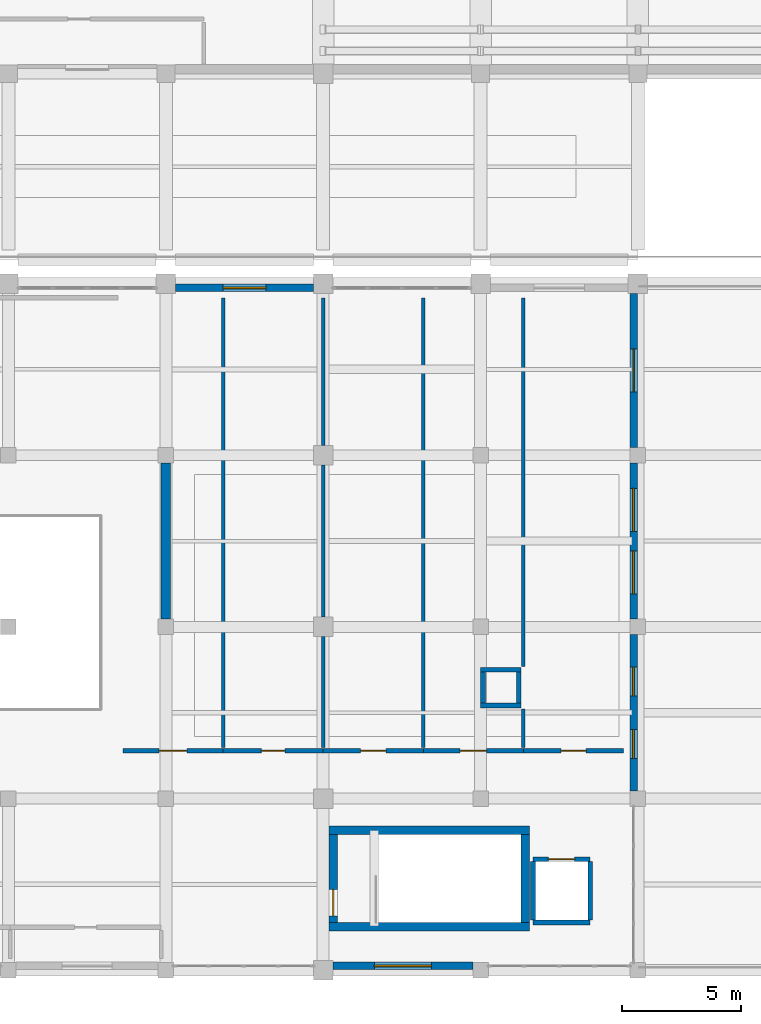
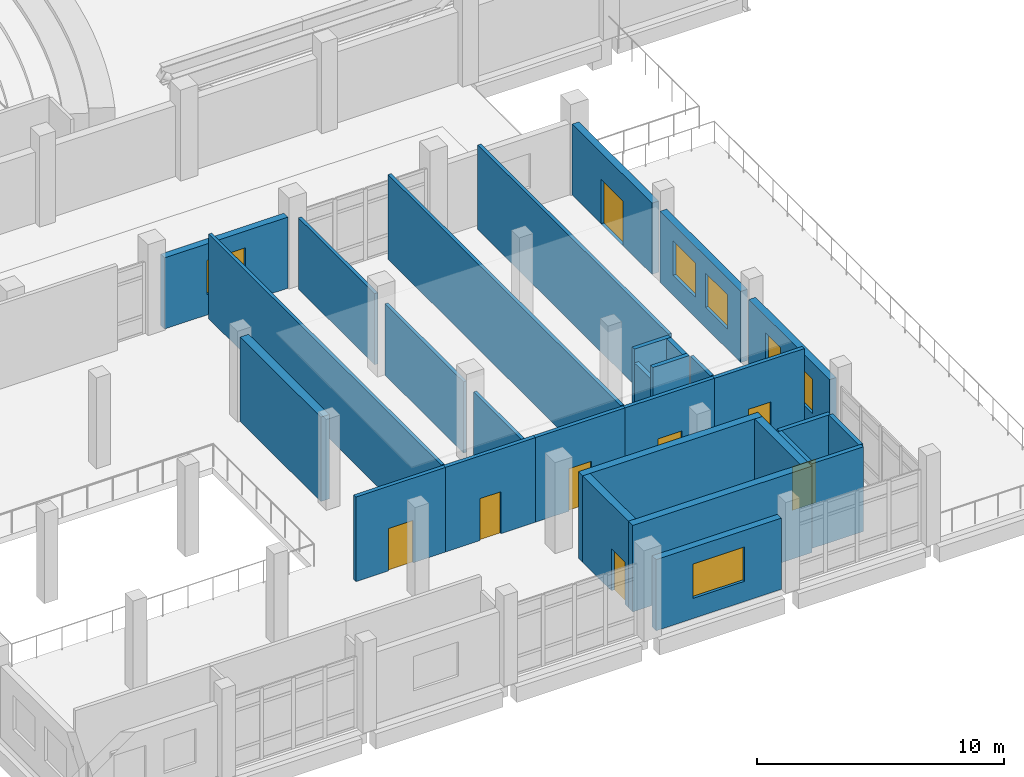
# One storey, part 38 of 54: 30 walls, 8 doors, 6 windows, 14 openings.
"""IFC4 building model written with IfcOpenShell, lengths in metres."""

from ifc_helpers import new_model, si_unit, direction, frame, frame_2d, origin, place, context, subcontext, project, spatial, rectangle, extrude, material, layer, layer_set, type_object, element, fill, save


model = new_model("IFC4")

# Units and contexts
model_context = context("Model", 3, precision=1e-05, world=origin(), true_north=direction((0.0, 1.0)))
body_context = subcontext(model_context, "Body", "Model", "MODEL_VIEW")
ifc_project = project(units=[si_unit("LENGTHUNIT", "METRE"), si_unit("AREAUNIT", "SQUARE_METRE"), si_unit("VOLUMEUNIT", "CUBIC_METRE"), si_unit("PLANEANGLEUNIT", "RADIAN"), si_unit("MASSUNIT", "GRAM", prefix="KILO")], contexts=[model_context])

# Site, building, storey
site_placement = place(None, origin())
site = spatial("IfcSite", under=ifc_project, at=site_placement, CompositionType="ELEMENT")
building_placement = place(site_placement, origin())
building = spatial("IfcBuilding", under=site, at=building_placement, Name="Kelarvand Opera House", CompositionType="ELEMENT")
storey_placement = place(building_placement, frame((0.0, 0.0, 15.0)))
storey = spatial("IfcBuildingStorey", under=building, at=storey_placement, Name="L03", CompositionType="ELEMENT", Elevation=15.0)

# Walls
ifc_material_1 = material(Name="Acoustic double-stud gypsum partition")
ifc_layer_1 = layer(ifc_material_1, 0.14990234375, Name="Acoustic double-stud gypsum partition")
ifc_layer_set_1 = layer_set([ifc_layer_1], Name="Acoustic double-stud gypsum partition")
wall_type_1 = type_object("IfcWallType", Name="Acoustic Room Partition Wall 150", PredefinedType="PARTITIONING", material=ifc_layer_set_1)
wall_1_placement = place(storey_placement, frame((111.199951171875, 18.340087890625, 0.0), z_axis=(0.0, 0.0, 1.0), x_axis=(0.0, 1.0, 0.0)))
element("IfcWall", 1, at=wall_1_placement, inside=storey, type_object=wall_type_1, Name="V6 L03 Partition Wall IW-150 (595)", PredefinedType="PARTITIONING", context=body_context, shape_type="SweptSolid", body=[
    extrude(rectangle(XDim=18.85986328125, YDim=0.14990234375, at=frame_2d((9.429931640625, 0.0))), origin(), (0.0, 0.0, 1.0), 4.19189453125),
])
wall_2_placement = place(storey_placement, frame((115.39990234375, 18.340087890625, 0.0), z_axis=(0.0, 0.0, 1.0), x_axis=(0.0, 1.0, 0.0)))
element("IfcWall", 2, at=wall_2_placement, inside=storey, type_object=wall_type_1, Name="V6 L03 Partition Wall IW-150 (597)", PredefinedType="PARTITIONING", context=body_context, shape_type="SweptSolid", body=[
    extrude(rectangle(XDim=4.64990234375, YDim=0.14990234375, at=frame_2d((2.324951171875, 0.0))), origin(), (0.0, 0.0, 1.0), 3.52197265625),
])
wall_3_placement = place(storey_placement, frame((115.39990234375, 23.81005859375, 0.0), z_axis=(0.0, 0.0, 1.0), x_axis=(0.0, 1.0, 0.0)))
element("IfcWall", 3, at=wall_3_placement, inside=storey, type_object=wall_type_1, Name="V6 L03 Partition Wall IW-150 (598)", PredefinedType="PARTITIONING", context=body_context, shape_type="SweptSolid", body=[
    extrude(rectangle(XDim=6.3798828125, YDim=0.14990234375, at=frame_2d((3.18994140625, 0.0))), origin(), (0.0, 0.0, 1.0), 3.52197265625),
])
wall_4_placement = place(storey_placement, frame((115.39990234375, 31.010009765625, 0.0), z_axis=(0.0, 0.0, 1.0), x_axis=(0.0, 1.0, 0.0)))
element("IfcWall", 4, at=wall_4_placement, inside=storey, type_object=wall_type_1, Name="V6 L03 Partition Wall IW-150 (599)", PredefinedType="PARTITIONING", context=body_context, shape_type="SweptSolid", body=[
    extrude(rectangle(XDim=6.18994140625, YDim=0.14990234375, at=frame_2d((3.094970703125, 0.0))), origin(), (0.0, 0.0, 1.0), 3.52197265625),
])
wall_5_placement = place(storey_placement, frame((119.60009765625, 18.340087890625, 0.0), z_axis=(0.0, 0.0, 1.0), x_axis=(0.0, 1.0, 0.0)))
element("IfcWall", 5, at=wall_5_placement, inside=storey, type_object=wall_type_1, Name="V6 L03 Partition Wall IW-150 (601)", PredefinedType="PARTITIONING", context=body_context, shape_type="SweptSolid", body=[
    extrude(rectangle(XDim=18.85986328125, YDim=0.14990234375, at=frame_2d((9.429931640625, 0.0))), origin(), (0.0, 0.0, 1.0), 4.19189453125),
])
wall_6_placement = place(storey_placement, frame((123.800048828125, 18.340087890625, 0.0), z_axis=(0.0, 0.0, 1.0), x_axis=(0.0, 1.0, 0.0)))
element("IfcWall", 6, at=wall_6_placement, inside=storey, type_object=wall_type_1, Name="V6 L03 Partition Wall IW-150 (603)", PredefinedType="PARTITIONING", context=body_context, shape_type="SweptSolid", body=[
    extrude(rectangle(XDim=1.619873046875, YDim=0.14990234375, at=frame_2d((0.81005859375, 0.0))), origin(), (0.0, 0.0, 1.0), 4.19189453125),
])
wall_7_placement = place(storey_placement, frame((123.800048828125, 21.739990234375, 0.0), z_axis=(0.0, 0.0, 1.0), x_axis=(0.0, 1.0, 0.0)))
element("IfcWall", 7, at=wall_7_placement, inside=storey, type_object=wall_type_1, Name="V6 L03 Partition Wall IW-150 (604)", PredefinedType="PARTITIONING", context=body_context, shape_type="SweptSolid", body=[
    extrude(rectangle(XDim=15.4599609375, YDim=0.14990234375, at=frame_2d((7.72998046875, 0.0))), origin(), (0.0, 0.0, 1.0), 4.19189453125),
])
ifc_material_2 = material(Name="Concrete C40/50", Category="concrete")
ifc_layer_2 = layer(ifc_material_2, 0.35009765625, Name="Concrete C40/50", Category="concrete")
ifc_layer_set_2 = layer_set([ifc_layer_2], Name="Concrete C40/50")
wall_type_2 = type_object("IfcWallType", Name="Core Stair and Lift Shear Wall 350", PredefinedType="SHEAR", material=ifc_layer_set_2)
for number, where, z_axis, x_axis, name in (
    (8, (115.64990234375, 10.824951171875, 0.0), (0.0, 0.0, 1.0), (1.0, 0.0, 0.0), "C8 Stair Core Shear Wall S L03"),
    (9, (124.050048828125, 14.875, 0.0), (0.0, 0.0, 1.0), (-1.0, 0.0, 0.0), "C8 Stair Core Shear Wall N L03"),
):
    element("IfcWall", number, at=place(storey_placement, frame(where, z_axis=z_axis, x_axis=x_axis)), inside=storey, type_object=wall_type_2, Name=name, PredefinedType="SHEAR", context=body_context, shape_type="SweptSolid", body=[
        extrude(rectangle(XDim=8.400146484375, YDim=0.35009765625, at=frame_2d((4.2001953125, 0.0))), origin(), (0.0, 0.0, 1.0), 4.280029296875),
    ])

# Wall, opening, door
wall_8_placement = place(storey_placement, frame((115.824951171875, 11.0, 0.0), z_axis=(0.0, 0.0, 1.0), x_axis=(0.0, 1.0, 0.0)))
wall_8 = element("IfcWall", 10, at=wall_8_placement, inside=storey, type_object=wall_type_2, Name="C8 Stair Core Shear Wall W L03", PredefinedType="SHEAR", context=body_context, shape_type="SweptSolid", body=[
    extrude(rectangle(XDim=3.699951171875, YDim=0.35009765625, at=frame_2d((1.85009765625, 0.0))), origin(), (0.0, 0.0, 1.0), 4.280029296875),
])
opening_1_placement = place(wall_8_placement, frame((0.280029296875, 0.0, 0.0)))
opening_1 = element("IfcOpeningElement", 11, at=opening_1_placement, cuts=wall_8, Name="Opening FD-01", PredefinedType="OPENING", context=body_context, shape_type="SweptSolid", body=[
    extrude(rectangle(XDim=1.10009765625, YDim=2.080078125, at=frame_2d((0.550048828125, 1.0400390625))), frame((0.0, 0.18505859375, 0.0), z_axis=(0.0, -1.0, 0.0), x_axis=(1.0, 0.0, 0.0)), (0.0, 0.0, 1.0), 0.3701171875),
])
ifc_material_3 = material(Name="Fire-rated brushed stainless steel", Category="steel")
door_type_1 = type_object("IfcDoorType", Name="Steel Fire-Rated Stair and FF Lobby Door 1100x2080", OperationType="NOTDEFINED", PredefinedType="DOOR", material=ifc_material_3)
door_1_placement = place(opening_1_placement, origin())
door_1 = element("IfcDoor", 12, at=door_1_placement, inside=storey, type_object=door_type_1, Name="C8 Stair ST-08 Fire Door L03", OperationType="SINGLE_SWING_LEFT", OverallHeight=2.080078125, OverallWidth=1.10009765625, PredefinedType="DOOR", context=body_context, shape_type="SweptSolid", body=[
    extrude(rectangle(XDim=1.10009765625, YDim=2.080078125, at=frame_2d((0.550048828125, 1.0400390625))), frame((0.0, 0.02490234375, 0.0), z_axis=(0.0, -1.0, 0.0), x_axis=(1.0, 0.0, 0.0)), (0.0, 0.0, 1.0), 0.050048828125),
])
fill(opening_1, door_1)

# Wall
wall_9_placement = place(storey_placement, frame((123.875, 14.699951171875, 0.0), z_axis=(0.0, 0.0, 1.0), x_axis=(0.0, -1.0, 0.0)))
element("IfcWall", 13, at=wall_9_placement, inside=storey, type_object=wall_type_2, Name="C8 Stair Core Shear Wall E L03", PredefinedType="SHEAR", context=body_context, shape_type="SweptSolid", body=[
    extrude(rectangle(XDim=3.699951171875, YDim=0.35009765625, at=frame_2d((1.85009765625, 0.0))), origin(), (0.0, 0.0, 1.0), 4.280029296875),
])

# Wall, opening, door
ifc_material_4 = material(Name="Concrete C35/45", Category="concrete")
ifc_layer_3 = layer(ifc_material_4, 0.179931640625, Name="Concrete C35/45", Category="concrete")
ifc_layer_set_3 = layer_set([ifc_layer_3], Name="Concrete C35/45")
wall_type_3 = type_object("IfcWallType", Name="Corridor Fire-Rated Partition Wall 180 EI90", PredefinedType="PARTITIONING", material=ifc_layer_set_3)
wall_10_placement = place(storey_placement, frame((107.0, 18.199951171875, 0.0), z_axis=(0.0, 0.0, 1.0), x_axis=(1.0, 0.0, 0.0)))
wall_10 = element("IfcWall", 14, at=wall_10_placement, inside=storey, type_object=wall_type_3, Name="V6 L03 Partition Wall IW-90 (594)", PredefinedType="PARTITIONING", context=body_context, shape_type="SweptSolid", body=[
    extrude(rectangle(XDim=4.199951171875, YDim=0.179931640625, at=frame_2d((2.10009765625, 0.0))), origin(), (0.0, 0.0, 1.0), 4.19189453125),
])
opening_2_placement = place(wall_10_placement, frame((1.52001953125, 0.0, 0.0)))
opening_2 = element("IfcOpeningElement", 15, at=opening_2_placement, cuts=wall_10, Name="Opening D-20", PredefinedType="OPENING", context=body_context, shape_type="SweptSolid", body=[
    extrude(rectangle(XDim=1.159912109375, YDim=2.10009765625, at=frame_2d((0.580078125, 1.050048828125))), frame((0.0, 0.10009765625, 0.0), z_axis=(0.0, -1.0, 0.0), x_axis=(1.0, 0.0, 0.0)), (0.0, 0.0, 1.0), 0.199951171875),
])
ifc_material_5 = material(Name="Acoustic walnut-veneered hardwood", Category="wood")
door_type_2 = type_object("IfcDoorType", Name="Library Reading Room Door 1160x2100", OperationType="NOTDEFINED", PredefinedType="DOOR", material=ifc_material_5)
door_2_placement = place(opening_2_placement, origin())
door_2 = element("IfcDoor", 16, at=door_2_placement, inside=storey, type_object=door_type_2, Name="V6 L03 Door D-20 (267)", OperationType="SINGLE_SWING_LEFT", OverallHeight=2.10009765625, OverallWidth=1.159912109375, PredefinedType="DOOR", context=body_context, shape_type="SweptSolid", body=[
    extrude(rectangle(XDim=1.159912109375, YDim=2.10009765625, at=frame_2d((0.580078125, 1.050048828125))), frame((0.0, 0.02490234375, 0.0), z_axis=(0.0, -1.0, 0.0), x_axis=(1.0, 0.0, 0.0)), (0.0, 0.0, 1.0), 0.050048828125),
])
fill(opening_2, door_2)

wall_11_placement = place(storey_placement, frame((111.199951171875, 18.199951171875, 0.0), z_axis=(0.0, 0.0, 1.0), x_axis=(1.0, 0.0, 0.0)))
wall_11 = element("IfcWall", 17, at=wall_11_placement, inside=storey, type_object=wall_type_3, Name="V6 L03 Partition Wall IW-90 (596)", PredefinedType="PARTITIONING", context=body_context, shape_type="SweptSolid", body=[
    extrude(rectangle(XDim=4.199951171875, YDim=0.179931640625, at=frame_2d((2.10009765625, 0.0))), origin(), (0.0, 0.0, 1.0), 4.19189453125),
])
opening_3_placement = place(wall_11_placement, frame((1.610107421875, 0.0, 0.0)))
opening_3 = element("IfcOpeningElement", 18, at=opening_3_placement, cuts=wall_11, Name="Opening D-09", PredefinedType="OPENING", context=body_context, shape_type="SweptSolid", body=[
    extrude(rectangle(XDim=0.97998046875, YDim=2.080078125, at=frame_2d((0.489990234375, 1.0400390625))), frame((0.0, 0.10009765625, 0.0), z_axis=(0.0, -1.0, 0.0), x_axis=(1.0, 0.0, 0.0)), (0.0, 0.0, 1.0), 0.199951171875),
])
door_type_3 = type_object("IfcDoorType", Name="Soloist Acoustic Timber Door 980x2080", OperationType="NOTDEFINED", PredefinedType="DOOR", material=ifc_material_5)
door_3_placement = place(opening_3_placement, origin())
door_3 = element("IfcDoor", 19, at=door_3_placement, inside=storey, type_object=door_type_3, Name="V6 L03 Door D-09 (268)", OperationType="SINGLE_SWING_RIGHT", OverallHeight=2.080078125, OverallWidth=0.97998046875, PredefinedType="DOOR", context=body_context, shape_type="SweptSolid", body=[
    extrude(rectangle(XDim=0.97998046875, YDim=2.080078125, at=frame_2d((0.489990234375, 1.0400390625))), frame((0.0, 0.02490234375, 0.0), z_axis=(0.0, -1.0, 0.0), x_axis=(1.0, 0.0, 0.0)), (0.0, 0.0, 1.0), 0.050048828125),
])
fill(opening_3, door_3)

wall_12_placement = place(storey_placement, frame((115.39990234375, 18.199951171875, 0.0), z_axis=(0.0, 0.0, 1.0), x_axis=(1.0, 0.0, 0.0)))
wall_12 = element("IfcWall", 20, at=wall_12_placement, inside=storey, type_object=wall_type_3, Name="V6 L03 Partition Wall IW-90 (600)", PredefinedType="PARTITIONING", context=body_context, shape_type="SweptSolid", body=[
    extrude(rectangle(XDim=4.2001953125, YDim=0.179931640625, at=frame_2d((2.10009765625, 0.0))), origin(), (0.0, 0.0, 1.0), 4.19189453125),
])
opening_4_placement = place(wall_12_placement, frame((1.574951171875, 0.0, 0.0)))
opening_4 = element("IfcOpeningElement", 21, at=opening_4_placement, cuts=wall_12, Name="Opening D-02", PredefinedType="OPENING", context=body_context, shape_type="SweptSolid", body=[
    extrude(rectangle(XDim=1.050048828125, YDim=2.10009765625, at=frame_2d((0.52490234375, 1.050048828125))), frame((0.0, 0.10009765625, 0.0), z_axis=(0.0, -1.0, 0.0), x_axis=(1.0, 0.0, 0.0)), (0.0, 0.0, 1.0), 0.199951171875),
])
door_type_4 = type_object("IfcDoorType", Name="Acoustic Studio Single Door 1050x2100", OperationType="NOTDEFINED", PredefinedType="DOOR", material=ifc_material_5)
door_4_placement = place(opening_4_placement, origin())
door_4 = element("IfcDoor", 22, at=door_4_placement, inside=storey, type_object=door_type_4, Name="V6 L03 Door D-02 (269)", OperationType="SINGLE_SWING_LEFT", OverallHeight=2.10009765625, OverallWidth=1.050048828125, PredefinedType="DOOR", context=body_context, shape_type="SweptSolid", body=[
    extrude(rectangle(XDim=1.050048828125, YDim=2.10009765625, at=frame_2d((0.52490234375, 1.050048828125))), frame((0.0, 0.02490234375, 0.0), z_axis=(0.0, -1.0, 0.0), x_axis=(1.0, 0.0, 0.0)), (0.0, 0.0, 1.0), 0.050048828125),
])
fill(opening_4, door_4)

wall_13_placement = place(storey_placement, frame((119.60009765625, 18.199951171875, 0.0), z_axis=(0.0, 0.0, 1.0), x_axis=(1.0, 0.0, 0.0)))
wall_13 = element("IfcWall", 23, at=wall_13_placement, inside=storey, type_object=wall_type_3, Name="V6 L03 Partition Wall IW-90 (602)", PredefinedType="PARTITIONING", context=body_context, shape_type="SweptSolid", body=[
    extrude(rectangle(XDim=4.199951171875, YDim=0.179931640625, at=frame_2d((2.10009765625, 0.0))), origin(), (0.0, 0.0, 1.0), 4.19189453125),
])
opening_5_placement = place(wall_13_placement, frame((1.5400390625, 0.0, 0.0)))
opening_5 = element("IfcOpeningElement", 24, at=opening_5_placement, cuts=wall_13, Name="Opening D-10", PredefinedType="OPENING", context=body_context, shape_type="SweptSolid", body=[
    extrude(rectangle(XDim=1.1201171875, YDim=2.1201171875, at=frame_2d((0.56005859375, 1.06005859375))), frame((0.0, 0.10009765625, 0.0), z_axis=(0.0, -1.0, 0.0), x_axis=(1.0, 0.0, 0.0)), (0.0, 0.0, 1.0), 0.199951171875),
])
door_type_5 = type_object("IfcDoorType", Name="Chorus Studio Single Door 1120x2120", OperationType="NOTDEFINED", PredefinedType="DOOR", material=ifc_material_5)
door_5_placement = place(opening_5_placement, origin())
door_5 = element("IfcDoor", 25, at=door_5_placement, inside=storey, type_object=door_type_5, Name="V6 L03 Door D-10 (270)", OperationType="SINGLE_SWING_RIGHT", OverallHeight=2.1201171875, OverallWidth=1.1201171875, PredefinedType="DOOR", context=body_context, shape_type="SweptSolid", body=[
    extrude(rectangle(XDim=1.1201171875, YDim=2.1201171875, at=frame_2d((0.56005859375, 1.06005859375))), frame((0.0, 0.02490234375, 0.0), z_axis=(0.0, -1.0, 0.0), x_axis=(1.0, 0.0, 0.0)), (0.0, 0.0, 1.0), 0.050048828125),
])
fill(opening_5, door_5)

wall_14_placement = place(storey_placement, frame((123.800048828125, 18.199951171875, 0.0), z_axis=(0.0, 0.0, 1.0), x_axis=(1.0, 0.0, 0.0)))
wall_14 = element("IfcWall", 26, at=wall_14_placement, inside=storey, type_object=wall_type_3, Name="V6 L03 Partition Wall IW-90 (605)", PredefinedType="PARTITIONING", context=body_context, shape_type="SweptSolid", body=[
    extrude(rectangle(XDim=4.199951171875, YDim=0.179931640625, at=frame_2d((2.10009765625, 0.0))), origin(), (0.0, 0.0, 1.0), 4.19189453125),
])
opening_6_placement = place(wall_14_placement, frame((1.574951171875, 0.0, 0.0)))
opening_6 = element("IfcOpeningElement", 27, at=opening_6_placement, cuts=wall_14, Name="Opening D-02", PredefinedType="OPENING", context=body_context, shape_type="SweptSolid", body=[
    extrude(rectangle(XDim=1.050048828125, YDim=2.10009765625, at=frame_2d((0.52490234375, 1.050048828125))), frame((0.0, 0.10009765625, 0.0), z_axis=(0.0, -1.0, 0.0), x_axis=(1.0, 0.0, 0.0)), (0.0, 0.0, 1.0), 0.199951171875),
])
door_6_placement = place(opening_6_placement, origin())
door_6 = element("IfcDoor", 28, at=door_6_placement, inside=storey, type_object=door_type_4, Name="V6 L03 Door D-02 (271)", OperationType="SINGLE_SWING_LEFT", OverallHeight=2.10009765625, OverallWidth=1.050048828125, PredefinedType="DOOR", context=body_context, shape_type="SweptSolid", body=[
    extrude(rectangle(XDim=1.050048828125, YDim=2.10009765625, at=frame_2d((0.52490234375, 1.050048828125))), frame((0.0, 0.02490234375, 0.0), z_axis=(0.0, -1.0, 0.0), x_axis=(1.0, 0.0, 0.0)), (0.0, 0.0, 1.0), 0.050048828125),
])
fill(opening_6, door_6)

ifc_layer_4 = layer(ifc_material_4, 0.320068359375, Name="Concrete C35/45", Category="concrete")
ifc_layer_set_4 = layer_set([ifc_layer_4], Name="Concrete C35/45")
wall_type_4 = type_object("IfcWallType", Name="Insulated Buff Brick Cavity Wall 320", PredefinedType="SOLIDWALL", material=ifc_layer_set_4)
wall_15_placement = place(storey_placement, frame((128.419921875, 37.389892578125, 0.0), z_axis=(0.0, 0.0, 1.0), x_axis=(0.0, -1.0, 0.0)))
wall_15 = element("IfcWall", 29, at=wall_15_placement, inside=storey, type_object=wall_type_4, Name="V6 L03 Exterior Wall EW-320 (749)", PredefinedType="SOLIDWALL", context=body_context, shape_type="SweptSolid", body=[
    extrude(rectangle(XDim=6.46484375, YDim=0.320068359375, at=frame_2d((3.232421875, 0.0))), origin(), (0.0, 0.0, 1.0), 3.52197265625),
])
opening_7_placement = place(wall_15_placement, frame((2.3330078125, 0.0, 0.0)))
opening_7 = element("IfcOpeningElement", 30, at=opening_7_placement, cuts=wall_15, Name="Opening TD-180", PredefinedType="OPENING", context=body_context, shape_type="SweptSolid", body=[
    extrude(rectangle(XDim=1.800048828125, YDim=2.199951171875, at=frame_2d((0.89990234375, 1.10009765625))), frame((0.0, 0.169921875, 0.0), z_axis=(0.0, -1.0, 0.0), x_axis=(1.0, 0.0, 0.0)), (0.0, 0.0, 1.0), 0.340087890625),
])
ifc_material_6 = material(Name="Thermally broken bronze-anodised aluminium and safety glass", Category="aluminium")
door_type_6 = type_object("IfcDoorType", Name="Glazed Planted Roof Terrace Double Door 1800x2200", OperationType="NOTDEFINED", PredefinedType="DOOR", material=ifc_material_6)
door_7_placement = place(opening_7_placement, origin())
door_7 = element("IfcDoor", 31, at=door_7_placement, inside=storey, type_object=door_type_6, Name="V6 L03 Planted Terrace Door 5", OperationType="DOUBLE_DOOR_SINGLE_SWING", OverallHeight=2.199951171875, OverallWidth=1.800048828125, PredefinedType="DOOR", context=body_context, shape_type="SweptSolid", body=[
    extrude(rectangle(XDim=1.800048828125, YDim=2.199951171875, at=frame_2d((0.89990234375, 1.10009765625))), frame((0.0, 0.02490234375, 0.0), z_axis=(0.0, -1.0, 0.0), x_axis=(1.0, 0.0, 0.0)), (0.0, 0.0, 1.0), 0.050048828125),
])
fill(opening_7, door_7)

# Wall, openings, windows
wall_16_placement = place(storey_placement, frame((128.419921875, 30.27490234375, 0.0), z_axis=(0.0, 0.0, 1.0), x_axis=(0.0, -1.0, 0.0)))
wall_16 = element("IfcWall", 32, at=wall_16_placement, inside=storey, type_object=wall_type_4, Name="V6 L03 Exterior Wall EW-320 (750)", PredefinedType="SOLIDWALL", context=body_context, shape_type="SweptSolid", body=[
    extrude(rectangle(XDim=6.5498046875, YDim=0.320068359375, at=frame_2d((3.27490234375, 0.0))), origin(), (0.0, 0.0, 1.0), 3.52197265625),
])
opening_8_placement = place(wall_16_placement, frame((1.06494140625, 0.0, 1.0)))
opening_8 = element("IfcOpeningElement", 33, at=opening_8_placement, cuts=wall_16, Name="Opening WN-18", PredefinedType="OPENING", context=body_context, shape_type="SweptSolid", body=[
    extrude(rectangle(XDim=1.800048828125, YDim=1.699951171875, at=frame_2d((0.89990234375, 0.85009765625))), frame((0.0, 0.169921875, 0.0), z_axis=(0.0, -1.0, 0.0), x_axis=(1.0, 0.0, 0.0)), (0.0, 0.0, 1.0), 0.340087890625),
])
opening_9_placement = place(wall_16_placement, frame((3.68505859375, 0.0, 1.0)))
opening_9 = element("IfcOpeningElement", 34, at=opening_9_placement, cuts=wall_16, Name="Opening WN-18", PredefinedType="OPENING", context=body_context, shape_type="SweptSolid", body=[
    extrude(rectangle(XDim=1.800048828125, YDim=1.699951171875, at=frame_2d((0.89990234375, 0.85009765625))), frame((0.0, 0.169921875, 0.0), z_axis=(0.0, -1.0, 0.0), x_axis=(1.0, 0.0, 0.0)), (0.0, 0.0, 1.0), 0.340087890625),
])
ifc_material_7 = material(Name="Thermally broken aluminium and low-E double glazing", Category="aluminium")
window_type_1 = type_object("IfcWindowType", Name="Recessed Aluminium Thermal Window 1800x1700 WN-18", PartitioningType="SINGLE_PANEL", PredefinedType="WINDOW", material=ifc_material_7)
window_1_placement = place(opening_8_placement, origin())
window_1 = element("IfcWindow", 35, at=window_1_placement, inside=storey, type_object=window_type_1, Name="V6 L03 Facade Window WN-18 (351)", OverallHeight=1.699951171875, OverallWidth=1.800048828125, PartitioningType="SINGLE_PANEL", PredefinedType="WINDOW", context=body_context, shape_type="SweptSolid", body=[
    extrude(rectangle(XDim=1.800048828125, YDim=1.699951171875, at=frame_2d((0.89990234375, 0.85009765625))), frame((0.0, 0.030029296875, 0.0), z_axis=(0.0, -1.0, 0.0), x_axis=(1.0, 0.0, 0.0)), (0.0, 0.0, 1.0), 0.06005859375),
])
fill(opening_8, window_1)
window_2_placement = place(opening_9_placement, origin())
window_2 = element("IfcWindow", 36, at=window_2_placement, inside=storey, type_object=window_type_1, Name="V6 L03 Facade Window WN-18 (352)", OverallHeight=1.699951171875, OverallWidth=1.800048828125, PartitioningType="SINGLE_PANEL", PredefinedType="WINDOW", context=body_context, shape_type="SweptSolid", body=[
    extrude(rectangle(XDim=1.800048828125, YDim=1.699951171875, at=frame_2d((0.89990234375, 0.85009765625))), frame((0.0, 0.030029296875, 0.0), z_axis=(0.0, -1.0, 0.0), x_axis=(1.0, 0.0, 0.0)), (0.0, 0.0, 1.0), 0.06005859375),
])
fill(opening_9, window_2)

wall_17_placement = place(storey_placement, frame((128.419921875, 23.074951171875, 0.0), z_axis=(0.0, 0.0, 1.0), x_axis=(0.0, -1.0, 0.0)))
wall_17 = element("IfcWall", 37, at=wall_17_placement, inside=storey, type_object=wall_type_4, Name="V6 L03 Exterior Wall EW-320 (751)", PredefinedType="SOLIDWALL", context=body_context, shape_type="SweptSolid", body=[
    extrude(rectangle(XDim=6.550048828125, YDim=0.320068359375, at=frame_2d((3.27490234375, 0.0))), origin(), (0.0, 0.0, 1.0), 3.52197265625),
])
opening_10_placement = place(wall_17_placement, frame((1.364990234375, 0.0, 1.0)))
opening_10 = element("IfcOpeningElement", 38, at=opening_10_placement, cuts=wall_17, Name="Opening WN-16", PredefinedType="OPENING", context=body_context, shape_type="SweptSolid", body=[
    extrude(rectangle(XDim=1.199951171875, YDim=1.699951171875, at=frame_2d((0.60009765625, 0.85009765625))), frame((0.0, 0.169921875, 0.0), z_axis=(0.0, -1.0, 0.0), x_axis=(1.0, 0.0, 0.0)), (0.0, 0.0, 1.0), 0.340087890625),
])
opening_11_placement = place(wall_17_placement, frame((3.985107421875, 0.0, 1.0)))
opening_11 = element("IfcOpeningElement", 39, at=opening_11_placement, cuts=wall_17, Name="Opening WN-16", PredefinedType="OPENING", context=body_context, shape_type="SweptSolid", body=[
    extrude(rectangle(XDim=1.199951171875, YDim=1.699951171875, at=frame_2d((0.60009765625, 0.85009765625))), frame((0.0, 0.169921875, 0.0), z_axis=(0.0, -1.0, 0.0), x_axis=(1.0, 0.0, 0.0)), (0.0, 0.0, 1.0), 0.340087890625),
])
window_type_2 = type_object("IfcWindowType", Name="Recessed Aluminium Thermal Window 1200x1700 WN-16", PartitioningType="SINGLE_PANEL", PredefinedType="WINDOW", material=ifc_material_7)
window_3_placement = place(opening_10_placement, origin())
window_3 = element("IfcWindow", 40, at=window_3_placement, inside=storey, type_object=window_type_2, Name="V6 L03 Facade Window WN-16 (353)", OverallHeight=1.699951171875, OverallWidth=1.199951171875, PartitioningType="SINGLE_PANEL", PredefinedType="WINDOW", context=body_context, shape_type="SweptSolid", body=[
    extrude(rectangle(XDim=1.199951171875, YDim=1.699951171875, at=frame_2d((0.60009765625, 0.85009765625))), frame((0.0, 0.030029296875, 0.0), z_axis=(0.0, -1.0, 0.0), x_axis=(1.0, 0.0, 0.0)), (0.0, 0.0, 1.0), 0.06005859375),
])
fill(opening_10, window_3)
window_4_placement = place(opening_11_placement, origin())
window_4 = element("IfcWindow", 41, at=window_4_placement, inside=storey, type_object=window_type_2, Name="V6 L03 Facade Window WN-16 (354)", OverallHeight=1.699951171875, OverallWidth=1.199951171875, PartitioningType="SINGLE_PANEL", PredefinedType="WINDOW", context=body_context, shape_type="SweptSolid", body=[
    extrude(rectangle(XDim=1.199951171875, YDim=1.699951171875, at=frame_2d((0.60009765625, 0.85009765625))), frame((0.0, 0.030029296875, 0.0), z_axis=(0.0, -1.0, 0.0), x_axis=(1.0, 0.0, 0.0)), (0.0, 0.0, 1.0), 0.06005859375),
])
fill(opening_11, window_4)

# Wall, opening, window
wall_18_placement = place(storey_placement, frame((109.2099609375, 37.6201171875, 0.0), z_axis=(0.0, 0.0, 1.0), x_axis=(1.0, 0.0, 0.0)))
wall_18 = element("IfcWall", 42, at=wall_18_placement, inside=storey, type_object=wall_type_4, Name="V6 L03 Exterior Wall EW-320 (753)", PredefinedType="SOLIDWALL", context=body_context, shape_type="SweptSolid", body=[
    extrude(rectangle(XDim=5.780029296875, YDim=0.320068359375, at=frame_2d((2.89013671875, 0.0))), origin(), (0.0, 0.0, 1.0), 3.52197265625),
])
opening_12_placement = place(wall_18_placement, frame((1.989990234375, 0.0, 1.0)))
opening_12 = element("IfcOpeningElement", 43, at=opening_12_placement, cuts=wall_18, Name="Opening WN-18", PredefinedType="OPENING", context=body_context, shape_type="SweptSolid", body=[
    extrude(rectangle(XDim=1.800048828125, YDim=1.699951171875, at=frame_2d((0.89990234375, 0.85009765625))), frame((0.0, 0.169921875, 0.0), z_axis=(0.0, -1.0, 0.0), x_axis=(1.0, 0.0, 0.0)), (0.0, 0.0, 1.0), 0.340087890625),
])
window_5_placement = place(opening_12_placement, origin())
window_5 = element("IfcWindow", 44, at=window_5_placement, inside=storey, type_object=window_type_1, Name="V6 L03 Facade Window WN-18 (357)", OverallHeight=1.699951171875, OverallWidth=1.800048828125, PartitioningType="SINGLE_PANEL", PredefinedType="WINDOW", context=body_context, shape_type="SweptSolid", body=[
    extrude(rectangle(XDim=1.800048828125, YDim=1.699951171875, at=frame_2d((0.89990234375, 0.85009765625))), frame((0.0, 0.030029296875, 0.0), z_axis=(0.0, -1.0, 0.0), x_axis=(1.0, 0.0, 0.0)), (0.0, 0.0, 1.0), 0.06005859375),
])
fill(opening_12, window_5)

wall_19_placement = place(storey_placement, frame((121.675048828125, 9.179931640625, 0.0), z_axis=(0.0, 0.0, 1.0), x_axis=(-1.0, 0.0, 0.0)))
wall_19 = element("IfcWall", 45, at=wall_19_placement, inside=storey, type_object=wall_type_4, Name="V6 L03 Exterior Wall EW-320 (757)", PredefinedType="SOLIDWALL", context=body_context, shape_type="SweptSolid", body=[
    extrude(rectangle(XDim=5.864990234375, YDim=0.320068359375, at=frame_2d((2.9326171875, 0.0))), origin(), (0.0, 0.0, 1.0), 3.52197265625),
])
opening_13_placement = place(wall_19_placement, frame((1.73193359375, 0.0, 1.0)))
opening_13 = element("IfcOpeningElement", 46, at=opening_13_placement, cuts=wall_19, Name="Opening WN-20", PredefinedType="OPENING", context=body_context, shape_type="SweptSolid", body=[
    extrude(rectangle(XDim=2.39990234375, YDim=1.699951171875, at=frame_2d((1.199951171875, 0.85009765625))), frame((0.0, 0.169921875, 0.0), z_axis=(0.0, -1.0, 0.0), x_axis=(1.0, 0.0, 0.0)), (0.0, 0.0, 1.0), 0.340087890625),
])
window_type_3 = type_object("IfcWindowType", Name="Recessed Aluminium Thermal Window 2400x1700 WN-20", PartitioningType="SINGLE_PANEL", PredefinedType="WINDOW", material=ifc_material_7)
window_6_placement = place(opening_13_placement, origin())
window_6 = element("IfcWindow", 47, at=window_6_placement, inside=storey, type_object=window_type_3, Name="V6 L03 Facade Window WN-20 (362)", OverallHeight=1.699951171875, OverallWidth=2.39990234375, PartitioningType="SINGLE_PANEL", PredefinedType="WINDOW", context=body_context, shape_type="SweptSolid", body=[
    extrude(rectangle(XDim=2.39990234375, YDim=1.699951171875, at=frame_2d((1.199951171875, 0.85009765625))), frame((0.0, 0.030029296875, 0.0), z_axis=(0.0, -1.0, 0.0), x_axis=(1.0, 0.0, 0.0)), (0.0, 0.0, 1.0), 0.06005859375),
])
fill(opening_13, window_6)

# Walls
ifc_layer_5 = layer(ifc_material_4, 0.199951171875, Name="Concrete C35/45", Category="concrete")
ifc_layer_set_5 = layer_set([ifc_layer_5], Name="Concrete C35/45")
wall_type_5 = type_object("IfcWallType", Name="Lift and Riser Shaft Enclosure Wall 200 EI120", PredefinedType="PARTITIONING", material=ifc_layer_set_5)
for number, where, z_axis, x_axis, name in (
    (48, (122.0, 20.10009765625, 0.0), (0.0, 0.0, 1.0), (1.0, 0.0, 0.0), "RSR-V6 L03 Riser Shaft Wall 153"),
    (49, (123.699951171875, 21.60009765625, 0.0), (0.0, 0.0, 1.0), (-1.0, 0.0, 0.0), "RSR-V6 L03 Riser Shaft Wall 154"),
):
    element("IfcWall", number, at=place(storey_placement, frame(where, z_axis=z_axis, x_axis=x_axis)), inside=storey, type_object=wall_type_5, Name=name, PredefinedType="PARTITIONING", context=body_context, shape_type="SweptSolid", body=[
        extrude(rectangle(XDim=1.699951171875, YDim=0.199951171875, at=frame_2d((0.85009765625, 0.0))), origin(), (0.0, 0.0, 1.0), 4.199951171875),
    ])
wall_20_placement = place(storey_placement, frame((122.10009765625, 20.199951171875, 0.0), z_axis=(0.0, 0.0, 1.0), x_axis=(0.0, 1.0, 0.0)))
element("IfcWall", 50, at=wall_20_placement, inside=storey, type_object=wall_type_5, Name="RSR-V6 L03 Riser Shaft Wall 155", PredefinedType="PARTITIONING", context=body_context, shape_type="SweptSolid", body=[
    extrude(rectangle(XDim=1.300048828125, YDim=0.199951171875, at=frame_2d((0.64990234375, 0.0))), origin(), (0.0, 0.0, 1.0), 3.52197265625),
])
wall_21_placement = place(storey_placement, frame((123.60009765625, 21.5, 0.0), z_axis=(0.0, 0.0, 1.0), x_axis=(0.0, -1.0, 0.0)))
element("IfcWall", 51, at=wall_21_placement, inside=storey, type_object=wall_type_5, Name="RSR-V6 L03 Riser Shaft Wall 156", PredefinedType="PARTITIONING", context=body_context, shape_type="SweptSolid", body=[
    extrude(rectangle(XDim=1.300048828125, YDim=0.199951171875, at=frame_2d((0.64990234375, 0.0))), origin(), (0.0, 0.0, 1.0), 4.199951171875),
])
wall_22_placement = place(storey_placement, frame((124.199951171875, 11.0, 0.0), z_axis=(0.0, 0.0, 1.0), x_axis=(1.0, 0.0, 0.0)))
element("IfcWall", 52, at=wall_22_placement, inside=storey, type_object=wall_type_5, Name="V6 L03 Partition Wall SW-200 (568)", PredefinedType="PARTITIONING", context=body_context, shape_type="SweptSolid", body=[
    extrude(rectangle(XDim=2.400146484375, YDim=0.199951171875, at=frame_2d((1.2001953125, 0.0))), origin(), (0.0, 0.0, 1.0), 4.19189453125),
])

# Wall, opening, door
wall_23_placement = place(storey_placement, frame((126.60009765625, 13.64990234375, 0.0), z_axis=(0.0, 0.0, 1.0), x_axis=(-1.0, 0.0, 0.0)))
wall_23 = element("IfcWall", 53, at=wall_23_placement, inside=storey, type_object=wall_type_5, Name="V6 L03 Partition Wall SW-200 (569)", PredefinedType="PARTITIONING", context=body_context, shape_type="SweptSolid", body=[
    extrude(rectangle(XDim=2.400146484375, YDim=0.199951171875, at=frame_2d((1.2001953125, 0.0))), origin(), (0.0, 0.0, 1.0), 4.19189453125),
])
opening_14_placement = place(wall_23_placement, frame((0.64990234375, 0.0, 0.0)))
opening_14 = element("IfcOpeningElement", 54, at=opening_14_placement, cuts=wall_23, Name="Opening LD-01", PredefinedType="OPENING", context=body_context, shape_type="SweptSolid", body=[
    extrude(rectangle(XDim=1.10009765625, YDim=2.14990234375, at=frame_2d((0.550048828125, 1.074951171875))), frame((0.0, 0.10986328125, 0.0), z_axis=(0.0, -1.0, 0.0), x_axis=(1.0, 0.0, 0.0)), (0.0, 0.0, 1.0), 0.219970703125),
])
door_type_7 = type_object("IfcDoorType", Name="Passenger Lift Sliding Landing Door 1100x2150", OperationType="SLIDING_TO_LEFT", PredefinedType="DOOR", material=ifc_material_3)
door_8_placement = place(opening_14_placement, origin())
door_8 = element("IfcDoor", 55, at=door_8_placement, inside=storey, type_object=door_type_7, Name="V6 L03 Door LD-01 (253)", OperationType="SLIDING_TO_LEFT", OverallHeight=2.14990234375, OverallWidth=1.10009765625, PredefinedType="DOOR", context=body_context, shape_type="SweptSolid", body=[
    extrude(rectangle(XDim=1.10009765625, YDim=2.14990234375, at=frame_2d((0.550048828125, 1.074951171875))), frame((0.0, 0.02490234375, 0.0), z_axis=(0.0, -1.0, 0.0), x_axis=(1.0, 0.0, 0.0)), (0.0, 0.0, 1.0), 0.050048828125),
])
fill(opening_14, door_8)

# Walls
for number, where, z_axis, x_axis, name in (
    (56, (124.199951171875, 11.10009765625, 0.0), (0.0, 0.0, 1.0), (0.0, 1.0, 0.0), "V6 L03 Partition Wall SW-200 (570)"),
    (57, (126.60009765625, 13.550048828125, 0.0), (0.0, 0.0, 1.0), (0.0, -1.0, 0.0), "V6 L03 Partition Wall SW-200 (571)"),
):
    element("IfcWall", number, at=place(storey_placement, frame(where, z_axis=z_axis, x_axis=x_axis)), inside=storey, type_object=wall_type_5, Name=name, PredefinedType="PARTITIONING", context=body_context, shape_type="SweptSolid", body=[
        extrude(rectangle(XDim=2.449951171875, YDim=0.199951171875, at=frame_2d((1.22509765625, 0.0))), origin(), (0.0, 0.0, 1.0), 4.19189453125),
    ])
ifc_layer_6 = layer(ifc_material_2, 0.39990234375, Name="Concrete C40/50", Category="concrete")
ifc_layer_set_6 = layer_set([ifc_layer_6], Name="Concrete C40/50")
wall_type_6 = type_object("IfcWallType", Name="Seismic Compartment Shear Wall 400", PredefinedType="SHEAR", material=ifc_layer_set_6)
wall_24_placement = place(storey_placement, frame((108.800048828125, 23.72509765625, 0.0), z_axis=(0.0, 0.0, 1.0), x_axis=(0.0, 1.0, 0.0)))
element("IfcWall", 58, at=wall_24_placement, inside=storey, type_object=wall_type_6, Name="V6 Shear Wall CW-120 L03", PredefinedType="SHEAR", context=body_context, shape_type="SweptSolid", body=[
    extrude(rectangle(XDim=6.5498046875, YDim=0.39990234375, at=frame_2d((3.27490234375, 0.0))), origin(), (0.0, 0.0, 1.0), 4.179931640625),
])

save(model, "model.ifc")
